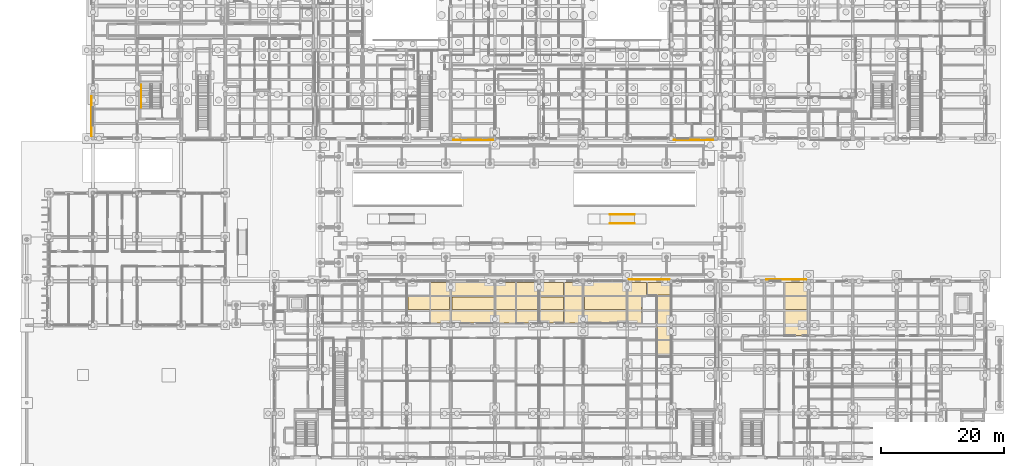
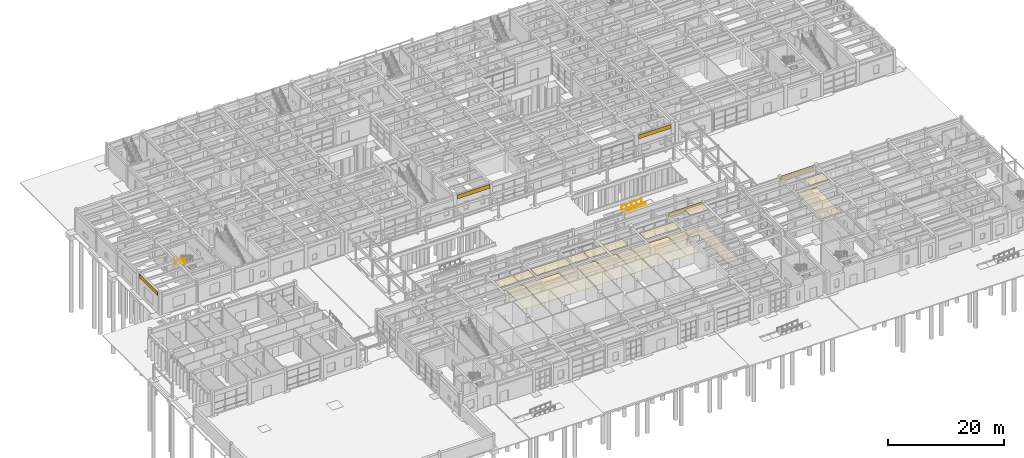
# One storey, part 131 of 143: 24 coverings, 3 railings.
"""IFC4 building model written with IfcOpenShell, lengths in metres."""

from ifc_helpers import new_model, si_unit, direction, frame, origin, origin_2d, place, context, subcontext, project, spatial, polyline, rectangle, circle, outline, extrude, material, layer, layer_set, type_object, element, save


model = new_model("IFC4")

# Units and contexts
model_context = context("Model", 3, precision=1e-05, world=origin(), true_north=direction((0.0, 1.0)))
body_context = subcontext(model_context, "Body", "Model", "MODEL_VIEW")
ifc_project = project(units=[si_unit("LENGTHUNIT", "METRE"), si_unit("AREAUNIT", "SQUARE_METRE"), si_unit("VOLUMEUNIT", "CUBIC_METRE"), si_unit("PLANEANGLEUNIT", "RADIAN"), si_unit("MASSUNIT", "GRAM", prefix="KILO")], contexts=[model_context])

# Site, building, storey
site_placement = place(None, origin())
site = spatial("IfcSite", under=ifc_project, at=site_placement, CompositionType="ELEMENT")
building_placement = place(site_placement, origin())
building = spatial("IfcBuilding", under=site, at=building_placement, Name="Steenspoor Specialist Clinic", CompositionType="ELEMENT")
storey_placement = place(building_placement, origin())
storey = spatial("IfcBuildingStorey", under=building, at=storey_placement, Name="L00", CompositionType="ELEMENT", Elevation=0.0)

# Coverings
ifc_material_1 = material(Name="Washable acoustic mineral ceiling board", Category="gypsum")
ifc_layer_1 = layer(ifc_material_1, 0.02490234375)
ifc_layer_set_1 = layer_set([ifc_layer_1], Name="Washable acoustic mineral ceiling board")
covering_type_1 = type_object("IfcCoveringType", Name="COV-CEIL-ACOUSTIC", PredefinedType="CEILING", material=ifc_layer_set_1)
covering_1_placement = place(storey_placement, frame((0.0, 0.0, 4.52490234375)))
element("IfcCovering", 1, at=covering_1_placement, inside=storey, type_object=covering_type_1, Name="Acoustic Clinical Ceiling 026", PredefinedType="CEILING", context=body_context, shape_type="SweptSolid", body=[
    extrude(outline(polyline([(106.114990234375, 41.590087890625), (109.784912109375, 41.590087890625), (109.784912109375, 41.580078125), (109.7548828125, 41.580078125), (109.7548828125, 39.60009765625), (106.114990234375, 39.60009765625), (106.114990234375, 41.590087890625)])), origin(), (0.0, 0.0, 1.0), 0.025146484375),
])
covering_2_placement = place(storey_placement, frame((0.0, 0.0, 4.52490234375)))
element("IfcCovering", 2, at=covering_2_placement, inside=storey, type_object=covering_type_1, Name="Acoustic Clinical Ceiling 030", PredefinedType="CEILING", context=body_context, shape_type="SweptSolid", body=[
    extrude(outline(polyline([(70.5849609375, 37.199951171875), (67.02001953125, 37.199951171875), (67.02001953125, 39.31005859375), (70.5849609375, 39.31005859375), (70.5849609375, 37.199951171875)])), origin(), (0.0, 0.0, 1.0), 0.025146484375),
])
covering_3_placement = place(storey_placement, frame((0.0, 0.0, 4.52490234375)))
element("IfcCovering", 3, at=covering_3_placement, inside=storey, type_object=covering_type_1, Name="Acoustic Clinical Ceiling 031", PredefinedType="CEILING", context=body_context, shape_type="SweptSolid", body=[
    extrude(outline(polyline([(70.715087890625, 39.31005859375), (73.804931640625, 39.31005859375), (73.804931640625, 37.199951171875), (70.715087890625, 37.199951171875), (70.715087890625, 39.31005859375)])), origin(), (0.0, 0.0, 1.0), 0.025146484375),
])
covering_4_placement = place(storey_placement, frame((0.0, 0.0, 4.52490234375)))
element("IfcCovering", 4, at=covering_4_placement, inside=storey, type_object=covering_type_1, Name="Acoustic Clinical Ceiling 032", PredefinedType="CEILING", context=body_context, shape_type="SweptSolid", body=[
    extrude(outline(polyline([(74.195068359375, 39.300048828125), (81.030029296875, 39.300048828125), (81.030029296875, 37.18994140625), (74.195068359375, 37.18994140625), (74.195068359375, 39.300048828125)])), origin(), (0.0, 0.0, 1.0), 0.025146484375),
])
covering_5_placement = place(storey_placement, frame((0.0, 0.0, 4.52490234375)))
element("IfcCovering", 5, at=covering_5_placement, inside=storey, type_object=covering_type_1, Name="Acoustic Clinical Ceiling 033", PredefinedType="CEILING", context=body_context, shape_type="SweptSolid", body=[
    extrude(outline(polyline([(84.5849609375, 37.199951171875), (81.3701171875, 37.199951171875), (81.3701171875, 39.31005859375), (84.5849609375, 39.31005859375), (84.5849609375, 37.199951171875)])), origin(), (0.0, 0.0, 1.0), 0.025146484375),
])
covering_6_placement = place(storey_placement, frame((0.0, 0.0, 4.52490234375)))
element("IfcCovering", 6, at=covering_6_placement, inside=storey, type_object=covering_type_1, Name="Acoustic Clinical Ceiling 034", PredefinedType="CEILING", context=body_context, shape_type="SweptSolid", body=[
    extrude(outline(polyline([(84.715087890625, 39.31005859375), (88.155029296875, 39.31005859375), (88.155029296875, 37.199951171875), (84.715087890625, 37.199951171875), (84.715087890625, 39.31005859375)])), origin(), (0.0, 0.0, 1.0), 0.025146484375),
])
covering_7_placement = place(storey_placement, frame((0.0, 0.0, 4.52490234375)))
element("IfcCovering", 7, at=covering_7_placement, inside=storey, type_object=covering_type_1, Name="Acoustic Clinical Ceiling 035", PredefinedType="CEILING", context=body_context, shape_type="SweptSolid", body=[
    extrude(outline(polyline([(92.43505859375, 37.18994140625), (88.64501953125, 37.18994140625), (88.64501953125, 39.300048828125), (92.43505859375, 39.300048828125), (92.43505859375, 37.18994140625)])), origin(), (0.0, 0.0, 1.0), 0.025146484375),
])
covering_8_placement = place(storey_placement, frame((0.0, 0.0, 4.52490234375)))
element("IfcCovering", 8, at=covering_8_placement, inside=storey, type_object=covering_type_1, Name="Acoustic Clinical Ceiling 036", PredefinedType="CEILING", context=body_context, shape_type="SweptSolid", body=[
    extrude(outline(polyline([(95.820068359375, 39.31005859375), (102.60498046875, 39.31005859375), (102.60498046875, 37.199951171875), (95.820068359375, 37.199951171875), (95.820068359375, 39.31005859375)])), origin(), (0.0, 0.0, 1.0), 0.025146484375),
])
covering_9_placement = place(storey_placement, frame((0.0, 0.0, 4.43505859375)))
element("IfcCovering", 9, at=covering_9_placement, inside=storey, type_object=covering_type_1, Name="Acoustic Clinical Ceiling 043", PredefinedType="CEILING", context=body_context, shape_type="SweptSolid", body=[
    extrude(outline(polyline([(128.514892578125, 39.31005859375), (132.179931640625, 39.31005859375), (132.179931640625, 37.199951171875), (128.514892578125, 37.199951171875), (128.514892578125, 39.31005859375)])), origin(), (0.0, 0.0, 1.0), 0.02490234375),
])
ifc_material_2 = material(Name="Glazed ceramic relief spandrel cladding", Category="masonry")
ifc_layer_2 = layer(ifc_material_2, 0.034912109375)
ifc_layer_set_2 = layer_set([ifc_layer_2], Name="Glazed ceramic relief spandrel cladding")
covering_type_2 = type_object("IfcCoveringType", Name="COV-CLAD-CERAMIC", PredefinedType="CLADDING", material=ifc_layer_set_2)
covering_10_placement = place(storey_placement, frame((106.41259765625, 42.10009765625, 3.71484375), z_axis=(0.0, 0.0, 1.0), x_axis=(1.0, 0.0, 0.0)))
element("IfcCovering", 10, at=covering_10_placement, inside=storey, type_object=covering_type_2, Name="Spandrel Cladding 5", PredefinedType="CLADDING", context=body_context, shape_type="SweptSolid", body=[
    extrude(rectangle(XDim=6.655029296875, YDim=0.0400390625, at=origin_2d()), origin(), (0.0, 0.0, 1.0), 0.840087890625),
])
covering_11_placement = place(storey_placement, frame((128.762451171875, 42.10009765625, 3.625), z_axis=(0.0, 0.0, 1.0), x_axis=(1.0, 0.0, 0.0)))
element("IfcCovering", 11, at=covering_11_placement, inside=storey, type_object=covering_type_2, Name="Spandrel Cladding 13", PredefinedType="CLADDING", context=body_context, shape_type="SweptSolid", body=[
    extrude(rectangle(XDim=6.554931640625, YDim=0.0400390625, at=origin_2d()), origin(), (0.0, 0.0, 1.0), 0.840087890625),
])
covering_12_placement = place(storey_placement, frame((113.637451171875, 64.89990234375, 3.71484375), z_axis=(0.0, 0.0, 1.0), x_axis=(-1.0, 0.0, 0.0)))
element("IfcCovering", 12, at=covering_12_placement, inside=storey, type_object=covering_type_2, Name="Spandrel Cladding 20", PredefinedType="CLADDING", context=body_context, shape_type="SweptSolid", body=[
    extrude(rectangle(XDim=6.405029296875, YDim=0.0400390625, at=origin_2d()), origin(), (0.0, 0.0, 1.0), 0.840087890625),
])
covering_13_placement = place(storey_placement, frame((77.64990234375, 64.89990234375, 3.71484375), z_axis=(0.0, 0.0, 1.0), x_axis=(-1.0, 0.0, 0.0)))
element("IfcCovering", 13, at=covering_13_placement, inside=storey, type_object=covering_type_2, Name="Spandrel Cladding 21", PredefinedType="CLADDING", context=body_context, shape_type="SweptSolid", body=[
    extrude(rectangle(XDim=6.530029296875, YDim=0.0400390625, at=origin_2d()), origin(), (0.0, 0.0, 1.0), 0.840087890625),
])
covering_14_placement = place(storey_placement, frame((15.35009765625, 68.75, 3.68505859375), z_axis=(0.0, 0.0, 1.0), x_axis=(0.0, 1.0, 0.0)))
element("IfcCovering", 14, at=covering_14_placement, inside=storey, type_object=covering_type_2, Name="Spandrel Cladding 65", PredefinedType="CLADDING", context=body_context, shape_type="SweptSolid", body=[
    extrude(rectangle(XDim=6.47998046875, YDim=0.0400390625, at=origin_2d()), origin(), (0.0, 0.0, 1.0), 0.840087890625),
])
ifc_material_3 = material(Name="Seamless clinical vinyl and terrazzo flooring", Category="plastic")
ifc_layer_3 = layer(ifc_material_3, 0.02001953125)
ifc_layer_set_3 = layer_set([ifc_layer_3], Name="Seamless clinical vinyl and terrazzo flooring")
covering_type_3 = type_object("IfcCoveringType", Name="COV-FLOOR-VINYL", PredefinedType="FLOORING", material=ifc_layer_set_3)
covering_15_placement = place(storey_placement, origin())
element("IfcCovering", 15, at=covering_15_placement, inside=storey, type_object=covering_type_3, Name="Clinical Vinyl Flooring 30", PredefinedType="FLOORING", context=body_context, shape_type="SweptSolid", body=[
    extrude(outline(polyline([(106.114990234375, 39.514892578125), (106.114990234375, 41.590087890625), (109.784912109375, 41.590087890625), (109.784912109375, 41.56005859375), (109.93505859375, 41.56005859375), (109.93505859375, 34.965087890625), (109.760009765625, 34.965087890625), (109.760009765625, 34.3349609375), (109.93505859375, 34.3349609375), (109.93505859375, 29.544921875), (107.6650390625, 29.544921875), (107.6650390625, 39.514892578125), (106.114990234375, 39.514892578125)])), origin(), (0.0, 0.0, 1.0), 0.02001953125),
])
covering_16_placement = place(storey_placement, origin())
element("IfcCovering", 16, at=covering_16_placement, inside=storey, type_object=covering_type_3, Name="Clinical Vinyl Flooring 36", PredefinedType="FLOORING", context=body_context, shape_type="SweptSolid", body=[
    extrude(outline(polyline([(70.715087890625, 41.590087890625), (73.760009765625, 41.590087890625), (73.760009765625, 41.534912109375), (73.93505859375, 41.534912109375), (73.93505859375, 35.014892578125), (70.715087890625, 35.014892578125), (70.715087890625, 41.590087890625)])), origin(), (0.0, 0.0, 1.0), 0.02001953125),
])
covering_17_placement = place(storey_placement, origin())
element("IfcCovering", 17, at=covering_17_placement, inside=storey, type_object=covering_type_3, Name="Clinical Vinyl Flooring 37", PredefinedType="FLOORING", context=body_context, shape_type="SweptSolid", body=[
    extrude(outline(polyline([(74.06494140625, 41.534912109375), (74.239990234375, 41.534912109375), (74.239990234375, 41.590087890625), (80.885009765625, 41.590087890625), (80.885009765625, 41.534912109375), (81.135009765625, 41.534912109375), (81.135009765625, 35.014892578125), (74.06494140625, 35.014892578125), (74.06494140625, 41.534912109375)])), origin(), (0.0, 0.0, 1.0), 0.02001953125),
])
covering_18_placement = place(storey_placement, origin())
element("IfcCovering", 18, at=covering_18_placement, inside=storey, type_object=covering_type_3, Name="Clinical Vinyl Flooring 38", PredefinedType="FLOORING", context=body_context, shape_type="SweptSolid", body=[
    extrude(outline(polyline([(81.264892578125, 41.534912109375), (81.514892578125, 41.534912109375), (81.514892578125, 41.590087890625), (84.5849609375, 41.590087890625), (84.5849609375, 35.014892578125), (81.264892578125, 35.014892578125), (81.264892578125, 41.534912109375)])), origin(), (0.0, 0.0, 1.0), 0.02001953125),
])
covering_19_placement = place(storey_placement, origin())
element("IfcCovering", 19, at=covering_19_placement, inside=storey, type_object=covering_type_3, Name="Clinical Vinyl Flooring 39", PredefinedType="FLOORING", context=body_context, shape_type="SweptSolid", body=[
    extrude(outline(polyline([(84.715087890625, 41.590087890625), (88.135009765625, 41.590087890625), (88.135009765625, 41.485107421875), (88.3349609375, 41.485107421875), (88.3349609375, 35.014892578125), (84.715087890625, 35.014892578125), (84.715087890625, 41.590087890625)])), origin(), (0.0, 0.0, 1.0), 0.02001953125),
])
covering_20_placement = place(storey_placement, origin())
element("IfcCovering", 20, at=covering_20_placement, inside=storey, type_object=covering_type_3, Name="Clinical Vinyl Flooring 40", PredefinedType="FLOORING", context=body_context, shape_type="SweptSolid", body=[
    extrude(outline(polyline([(88.465087890625, 41.485107421875), (88.6650390625, 41.485107421875), (88.6650390625, 41.590087890625), (92.43505859375, 41.590087890625), (92.43505859375, 35.014892578125), (88.465087890625, 35.014892578125), (88.465087890625, 41.485107421875)])), origin(), (0.0, 0.0, 1.0), 0.02001953125),
])
covering_21_placement = place(storey_placement, origin())
element("IfcCovering", 21, at=covering_21_placement, inside=storey, type_object=covering_type_3, Name="Clinical Vinyl Flooring 41", PredefinedType="FLOORING", context=body_context, shape_type="SweptSolid", body=[
    extrude(outline(polyline([(92.56494140625, 41.590087890625), (95.235107421875, 41.590087890625), (95.235107421875, 41.485107421875), (95.534912109375, 41.485107421875), (95.534912109375, 35.0400390625), (95.2099609375, 35.0400390625), (95.2099609375, 35.014892578125), (92.56494140625, 35.014892578125), (92.56494140625, 41.590087890625)])), origin(), (0.0, 0.0, 1.0), 0.02001953125),
])
covering_22_placement = place(storey_placement, origin())
element("IfcCovering", 22, at=covering_22_placement, inside=storey, type_object=covering_type_3, Name="Clinical Vinyl Flooring 42", PredefinedType="FLOORING", context=body_context, shape_type="SweptSolid", body=[
    extrude(outline(polyline([(95.6650390625, 41.485107421875), (95.965087890625, 41.485107421875), (95.965087890625, 41.590087890625), (102.735107421875, 41.590087890625), (102.735107421875, 35.014892578125), (95.989990234375, 35.014892578125), (95.989990234375, 35.0400390625), (95.6650390625, 35.0400390625), (95.6650390625, 41.485107421875)])), origin(), (0.0, 0.0, 1.0), 0.02001953125),
])
covering_23_placement = place(storey_placement, origin())
element("IfcCovering", 23, at=covering_23_placement, inside=storey, type_object=covering_type_3, Name="Clinical Vinyl Flooring 43", PredefinedType="FLOORING", context=body_context, shape_type="SweptSolid", body=[
    extrude(outline(polyline([(102.864990234375, 41.590087890625), (105.985107421875, 41.590087890625), (105.985107421875, 39.514892578125), (105.135009765625, 39.514892578125), (105.135009765625, 35.014892578125), (102.864990234375, 35.014892578125), (102.864990234375, 41.590087890625)])), origin(), (0.0, 0.0, 1.0), 0.02001953125),
])
covering_24_placement = place(storey_placement, origin())
element("IfcCovering", 24, at=covering_24_placement, inside=storey, type_object=covering_type_3, Name="Clinical Vinyl Flooring 56", PredefinedType="FLOORING", context=body_context, shape_type="SweptSolid", body=[
    extrude(outline(polyline([(128.514892578125, 41.590087890625), (132.0849609375, 41.590087890625), (132.0849609375, 41.534912109375), (132.3349609375, 41.534912109375), (132.3349609375, 34.989990234375), (132.06005859375, 34.989990234375), (132.06005859375, 34.31005859375), (132.3349609375, 34.31005859375), (132.3349609375, 33.014892578125), (128.514892578125, 33.014892578125), (128.514892578125, 41.590087890625)])), origin(), (0.0, 0.0, 1.0), 0.02001953125),
])

# Railings
ifc_material_4 = material(Name="Brushed stainless steel clinical handrail", Category="steel")
railing_type = type_object("IfcRailingType", Name="RAIL-HAND-900", PredefinedType="HANDRAIL", material=ifc_material_4)
railing_placement = place(storey_placement, frame((23.5, 73.85498046875, 2.571533203125)))
element("IfcRailing", 25, at=railing_placement, inside=storey, type_object=railing_type, Name="L00 ST-V5B stair handrail 2", PredefinedType="HANDRAIL", context=body_context, shape_type="SweptSolid", body=[
    extrude(circle(Radius=0.02392578125, at=origin_2d()), frame((0.0, 0.0, 0.8759765625), z_axis=(0.0, -0.856934400257, 0.515425487977), x_axis=(1.0, 0.0, 0.0)), (0.0, 0.0, 1.0), 4.32373046875),
    extrude(circle(Radius=0.02099609375, at=origin_2d()), origin(), (0.0, 0.0, 1.0), 0.851806640625),
    extrude(circle(Radius=0.02099609375, at=origin_2d()), frame((0.0, -0.92626953125, 0.55712890625)), (0.0, 0.0, 1.0), 0.851806640625),
    extrude(circle(Radius=0.02099609375, at=origin_2d()), frame((0.0, -1.8525390625, 1.1142578125)), (0.0, 0.0, 1.0), 0.851806640625),
    extrude(circle(Radius=0.02099609375, at=origin_2d()), frame((0.0, -2.77880859375, 1.67138671875)), (0.0, 0.0, 1.0), 0.851806640625),
    extrude(circle(Radius=0.02099609375, at=origin_2d()), frame((0.0, -3.705078125, 2.228515625)), (0.0, 0.0, 1.0), 0.851806640625),
])
for number, where, name in (
    (26, (100.0, 51.260009765625, -0.300048828125), "Ramp Handrail RMP-06 L"),
    (27, (100.0, 52.739990234375, -0.300048828125), "Ramp Handrail RMP-06 R"),
):
    element("IfcRailing", number, at=place(storey_placement, frame(where)), inside=storey, type_object=railing_type, Name=name, PredefinedType="HANDRAIL", context=body_context, shape_type="SweptSolid", body=[
        extrude(circle(Radius=0.02392578125, at=origin_2d()), frame((0.0, 0.0, 0.8759765625), z_axis=(0.997198401959, 0.0, 0.074802052979), x_axis=(0.0, 1.0, 0.0)), (0.0, 0.0, 1.0), 4.01123046875),
        extrude(circle(Radius=0.02099609375, at=origin_2d()), origin(), (0.0, 0.0, 1.0), 0.851806640625),
        extrude(circle(Radius=0.02099609375, at=origin_2d()), frame((1.0, 0.0, 0.074951171875)), (0.0, 0.0, 1.0), 0.851806640625),
        extrude(circle(Radius=0.02099609375, at=origin_2d()), frame((2.0, 0.0, 0.14990234375)), (0.0, 0.0, 1.0), 0.851806640625),
        extrude(circle(Radius=0.02099609375, at=origin_2d()), frame((3.0, 0.0, 0.22509765625)), (0.0, 0.0, 1.0), 0.851806640625),
        extrude(circle(Radius=0.02099609375, at=origin_2d()), frame((4.0, 0.0, 0.300048828125)), (0.0, 0.0, 1.0), 0.851806640625),
    ])

save(model, "model.ifc")
